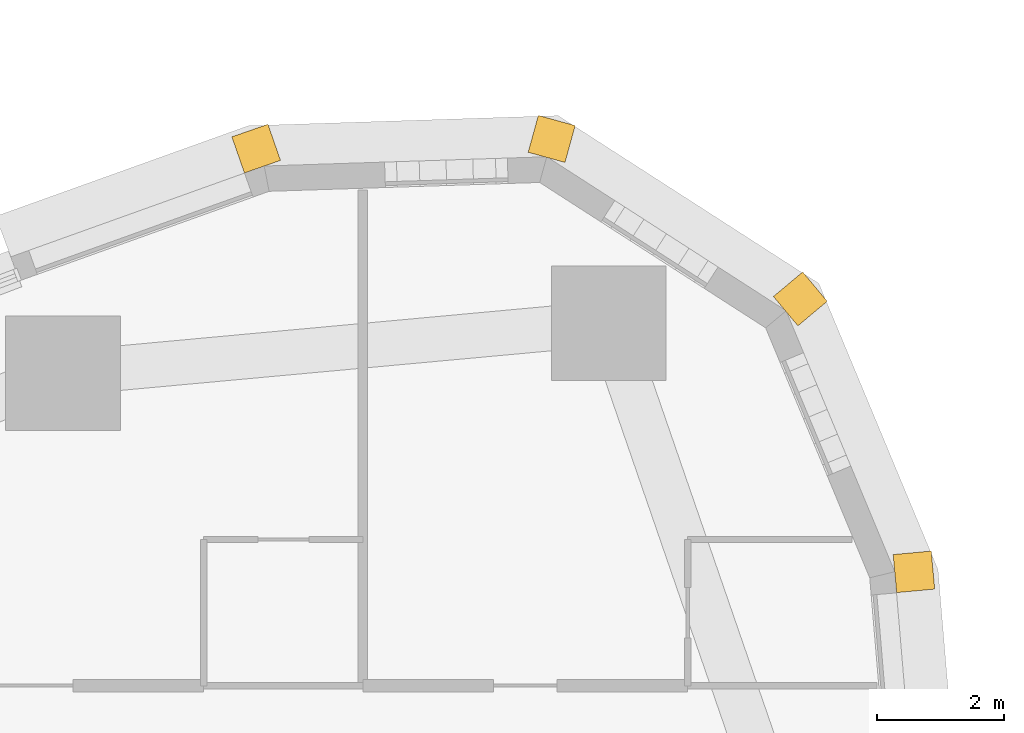
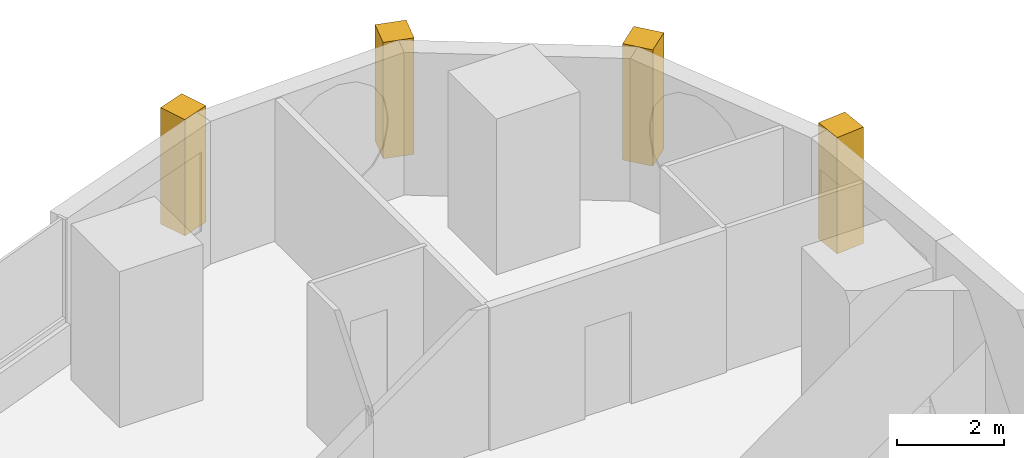
# One storey, part 19 of 19: 4 coverings.
"""IFC4 building model written with IfcOpenShell, lengths in metres."""

from ifc_helpers import new_model, si_unit, direction, frame, frame_2d, origin, place, context, subcontext, project, spatial, rectangle, extrude, material, layer, layer_set, type_object, element, save


model = new_model("IFC4")

# Units and contexts
model_context = context("Model", 3, precision=1e-05, world=origin(), true_north=direction((0.0, 1.0)))
body_context = subcontext(model_context, "Body", "Model", "MODEL_VIEW")
ifc_project = project(units=[si_unit("LENGTHUNIT", "METRE"), si_unit("AREAUNIT", "SQUARE_METRE"), si_unit("VOLUMEUNIT", "CUBIC_METRE"), si_unit("PLANEANGLEUNIT", "RADIAN"), si_unit("MASSUNIT", "GRAM", prefix="KILO")], contexts=[model_context])

# Site, building, storey
site_placement = place(None, origin())
site = spatial("IfcSite", under=ifc_project, at=site_placement, CompositionType="ELEMENT")
building_placement = place(site_placement, origin())
building = spatial("IfcBuilding", under=site, at=building_placement, Name="Ostrand Prow Hotel Tower", CompositionType="ELEMENT")
storey_placement = place(building_placement, frame((0.0, 0.0, 53.800048828125)))
storey = spatial("IfcBuildingStorey", under=building, at=storey_placement, Name="L11", CompositionType="ELEMENT", Elevation=53.800048828125)

# Coverings
ifc_material = material(Name="Limestone cladding", Category="masonry")
ifc_layer = layer(ifc_material, 0.60009765625)
ifc_layer_set = layer_set([ifc_layer], Name="Limestone cladding")
covering_type = type_object("IfcCoveringType", Name="Precast stone prow rib 600x600", PredefinedType="CLADDING", material=ifc_layer_set)
for number, where, z_axis, x_axis, name in (
    (1, (65.4580078125, 22.564453125, 0.599853515625), (0.0, 0.0, 1.0), (0.995724747837, 0.09237005221, 0.0), "Stone corner rib 16a"),
    (2, (63.74169921875, 26.6865234375, 0.599853515625), (0.0, 0.0, 1.0), (0.766985844654, 0.641664019639, 0.0), "Stone corner rib 17a"),
    (3, (59.98681640625, 29.1025390625, 0.599853515625), (0.0, 0.0, 1.0), (0.266111535611, 0.963942244439, 0.0), "Stone corner rib 18a"),
    (4, (55.524169921875, 28.956298828125, 0.599853515625), (0.0, 0.0, 1.0), (-0.328773122904, 0.94440893349, 0.0), "Stone corner rib 18b"),
):
    element("IfcCovering", number, at=place(storey_placement, frame(where, z_axis=z_axis, x_axis=x_axis)), inside=storey, type_object=covering_type, Name=name, PredefinedType="CLADDING", context=body_context, shape_type="SweptSolid", body=[
        extrude(rectangle(XDim=0.60009765625, YDim=0.60009765625, at=frame_2d((0.300048828125, 0.0))), origin(), (0.0, 0.0, 1.0), 2.650146484375),
    ])

save(model, "model.ifc")
